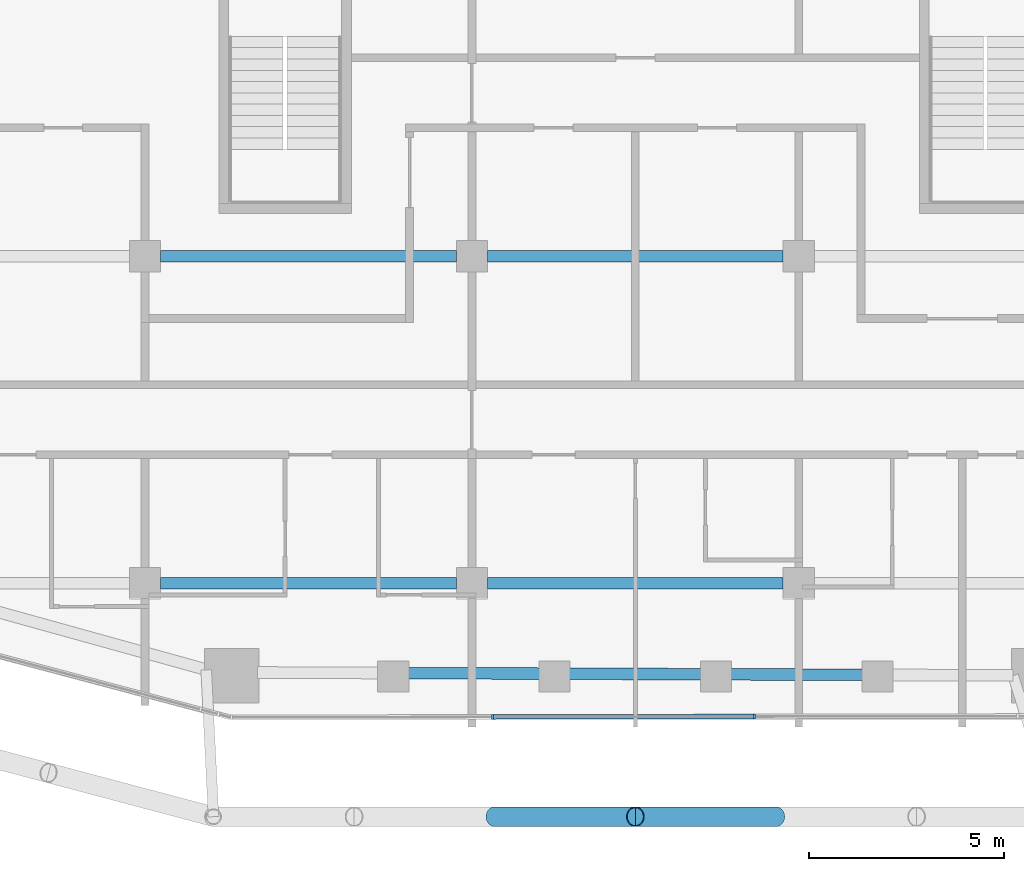
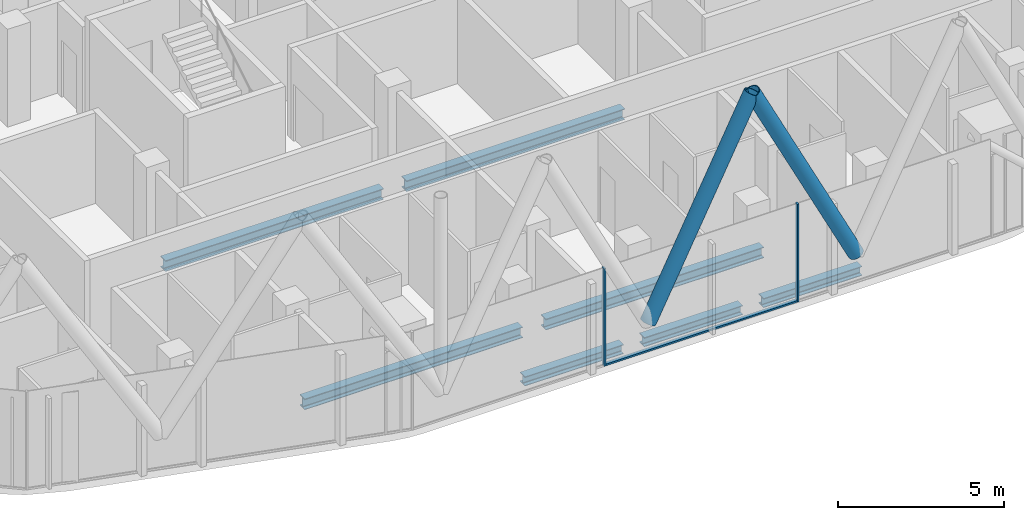
# One storey, part 3 of 28: 7 beams, 5 members, 1 element without a shape of its own.
"""IFC4 building model written with IfcOpenShell, lengths in metres."""

from ifc_helpers import new_model, si_unit, direction, frame, origin, origin_2d, place, context, subcontext, project, spatial, rectangle, hollow_circle, i_section, extrude, material, layer, layer_set, material_profile, profile_set, type_object, element, aggregate, save


model = new_model("IFC4")

# Units and contexts
model_context = context("Model", 3, precision=1e-05, world=origin(), true_north=direction((0.0, 1.0)))
body_context = subcontext(model_context, "Body", "Model", "MODEL_VIEW")
ifc_project = project(units=[si_unit("LENGTHUNIT", "METRE"), si_unit("AREAUNIT", "SQUARE_METRE"), si_unit("VOLUMEUNIT", "CUBIC_METRE"), si_unit("PLANEANGLEUNIT", "RADIAN"), si_unit("MASSUNIT", "GRAM", prefix="KILO")], contexts=[model_context])

# Site, building, storey
site_placement = place(None, origin())
site = spatial("IfcSite", under=ifc_project, at=site_placement, CompositionType="ELEMENT")
building_placement = place(site_placement, origin())
building = spatial("IfcBuilding", under=site, at=building_placement, Name="Marenta Gate Hotel Tower", CompositionType="ELEMENT")
storey_placement = place(building_placement, frame((0.0, 0.0, 227.300048828125)))
storey = spatial("IfcBuildingStorey", under=building, at=storey_placement, Name="L53", CompositionType="ELEMENT", Elevation=227.300048828125)

# Members
ifc_material_1 = material(Name="Steel S355J2W", Category="steel")
ifc_material_profile_1 = material_profile(ifc_material_1, hollow_circle(Radius=0.25390625, WallThickness=0.02490234375, at=origin_2d()), Name="CHS 508x25")
ifc_profile_set_1 = profile_set([ifc_material_profile_1], Name="Steel S355J2W")
member_type_1 = type_object("IfcMemberType", Name="Diagrid diagonal Z3 CHS 508x25", PredefinedType="BRACE", material=ifc_profile_set_1)
for number, where, z_axis, x_axis, name in (
    (1, (3.613037109375, -31.199951171875, 3.139892578125), (-0.44851025603, 0.0, 0.893777685018), (0.0, -1.0, 0.0), "L53-DG-17"),
    (2, (-3.613037109375, -31.199951171875, 3.139892578125), (0.44851025603, 0.0, 0.893777685018), (0.0, 1.0, 0.0), "L53-DG-18"),
):
    element("IfcMember", number, at=place(storey_placement, frame(where, z_axis=z_axis, x_axis=x_axis)), inside=storey, type_object=member_type_1, Name=name, PredefinedType="BRACE", context=body_context, shape_type="SweptSolid", body=[
        extrude(hollow_circle(Radius=0.25390625, WallThickness=0.02490234375, at=origin_2d()), origin(), (0.0, 0.0, 1.0), 8.0556640625),
    ])

# Beams
ifc_material_2 = material(Name="Steel S355", Category="steel")
ifc_material_profile_2 = material_profile(ifc_material_2, i_section(OverallWidth=0.300048828125, OverallDepth=0.340087890625, WebThickness=0.011962890625, FlangeThickness=0.021484375, FilletRadius=0.027099609375, at=origin_2d()), Name="HEB 340")
ifc_profile_set_2 = profile_set([ifc_material_profile_2], Name="Steel S355")
beam_type_1 = type_object("IfcBeamType", Name="Edge beam HEB 340", PredefinedType="SPANDREL", material=ifc_profile_set_2)
for number, where, z_axis, x_axis, name in (
    (3, (5.860107421875, -27.555419921875, -0.429931640625), (-0.999992599416, 0.003847221457, 0.0), (-0.003847221457, -0.999992599416, 0.0), "L53-EB-33"),
    (4, (1.71337890625, -27.539306640625, -0.429931640625), (-0.999992599416, 0.003847221457, 0.0), (-0.003847221457, -0.999992599416, 0.0), "L53-EB-34"),
    (5, (-2.433349609375, -27.5234375, -0.429931640625), (-0.999992599416, 0.003847221457, 0.0), (-0.003847221457, -0.999992599416, 0.0), "L53-EB-35"),
):
    element("IfcBeam", number, at=place(storey_placement, frame(where, z_axis=z_axis, x_axis=x_axis)), inside=storey, type_object=beam_type_1, Name=name, PredefinedType="SPANDREL", context=body_context, shape_type="SweptSolid", body=[
        extrude(i_section(OverallWidth=0.300048828125, OverallDepth=0.340087890625, WebThickness=0.011962890625, FlangeThickness=0.021484375, FilletRadius=0.027099609375, at=origin_2d()), origin(), (0.0, 0.0, 1.0), 3.4267578125),
    ])
ifc_material_3 = material(Name="Steel S355", Category="steel")
ifc_material_profile_3 = material_profile(ifc_material_3, i_section(OverallWidth=0.300048828125, OverallDepth=0.39990234375, WebThickness=0.013427734375, FlangeThickness=0.02392578125, FilletRadius=0.027099609375, at=origin_2d()), Name="HEB 400")
ifc_profile_set_3 = profile_set([ifc_material_profile_3], Name="Steel S355")
beam_type_2 = type_object("IfcBeamType", Name="Girder HEB 400", PredefinedType="BEAM", material=ifc_profile_set_3)
beam_1_placement = place(storey_placement, frame((-12.199951171875, -25.199951171875, -0.4599609375), z_axis=(1.0, 0.0, 0.0), x_axis=(0.0, 1.0, 0.0)))
element("IfcBeam", 6, at=beam_1_placement, inside=storey, type_object=beam_type_2, Name="L53-GD-2", PredefinedType="BEAM", context=body_context, shape_type="SweptSolid", body=[
    extrude(i_section(OverallWidth=0.300048828125, OverallDepth=0.39990234375, WebThickness=0.013427734375, FlangeThickness=0.02392578125, FilletRadius=0.027099609375, at=origin_2d()), origin(), (0.0, 0.0, 1.0), 7.599853515625),
])
beam_2_placement = place(storey_placement, frame((-3.800048828125, -25.199951171875, -0.4599609375), z_axis=(1.0, 0.0, 0.0), x_axis=(0.0, 1.0, 0.0)))
element("IfcBeam", 7, at=beam_2_placement, inside=storey, type_object=beam_type_2, Name="L53-GD-3", PredefinedType="BEAM", context=body_context, shape_type="SweptSolid", body=[
    extrude(i_section(OverallWidth=0.300048828125, OverallDepth=0.39990234375, WebThickness=0.013427734375, FlangeThickness=0.02392578125, FilletRadius=0.027099609375, at=origin_2d()), origin(), (0.0, 0.0, 1.0), 7.60009765625),
])
beam_3_placement = place(storey_placement, frame((-12.199951171875, -16.800048828125, -0.4599609375), z_axis=(1.0, 0.0, 0.0), x_axis=(0.0, 1.0, 0.0)))
element("IfcBeam", 8, at=beam_3_placement, inside=storey, type_object=beam_type_2, Name="L53-GD-8", PredefinedType="BEAM", context=body_context, shape_type="SweptSolid", body=[
    extrude(i_section(OverallWidth=0.300048828125, OverallDepth=0.39990234375, WebThickness=0.013427734375, FlangeThickness=0.02392578125, FilletRadius=0.027099609375, at=origin_2d()), origin(), (0.0, 0.0, 1.0), 7.599853515625),
])
beam_4_placement = place(storey_placement, frame((-3.800048828125, -16.800048828125, -0.4599609375), z_axis=(1.0, 0.0, 0.0), x_axis=(0.0, 1.0, 0.0)))
element("IfcBeam", 9, at=beam_4_placement, inside=storey, type_object=beam_type_2, Name="L53-GD-9", PredefinedType="BEAM", context=body_context, shape_type="SweptSolid", body=[
    extrude(i_section(OverallWidth=0.300048828125, OverallDepth=0.39990234375, WebThickness=0.013427734375, FlangeThickness=0.02392578125, FilletRadius=0.027099609375, at=origin_2d()), origin(), (0.0, 0.0, 1.0), 7.60009765625),
])

# Curtain wall, members
ifc_material_4 = material(Name="Tinted insulated glass in bronze anodised frame", Category="glass")
ifc_layer = layer(ifc_material_4, 0.1201171875)
ifc_layer_set = layer_set([ifc_layer], Name="Tinted insulated glass in bronze anodised frame")
curtain_wall_type = type_object("IfcCurtainWallType", Name="Tower unitised curtain wall CW1", PredefinedType="NOTDEFINED", material=ifc_layer_set)
curtain_wall_placement = place(storey_placement, origin())
curtain_wall = element("IfcCurtainWall", 10, at=curtain_wall_placement, inside=storey, type_object=curtain_wall_type, Name="CW1 run G12", PredefinedType="NOTDEFINED")
ifc_material_5 = material(Name="Bronze anodised aluminium", Category="aluminium")
ifc_material_profile_4 = material_profile(ifc_material_5, rectangle(XDim=0.1201171875, YDim=0.06005859375, at=origin_2d()), Name="Mullion CW1 60x120 bronze anodised aluminium")
ifc_profile_set_4 = profile_set([ifc_material_profile_4], Name="Bronze anodised aluminium")
member_type_2 = type_object("IfcMemberType", Name="Mullion CW1 60x120 bronze anodised aluminium", PredefinedType="MULLION", material=ifc_profile_set_4)
member_1_placement = place(storey_placement, frame((-3.67236328125, -28.636474609375, 0.0), z_axis=(0.0, 0.0, 1.0), x_axis=(-0.001643488917, 0.999998649471, 0.0)))
member_1 = element("IfcMember", 11, at=member_1_placement, type_object=member_type_2, Name="CW1 mullion 2", PredefinedType="MULLION", context=body_context, shape_type="SweptSolid", body=[
    extrude(rectangle(XDim=0.1201171875, YDim=0.06005859375, at=origin_2d()), origin(), (0.0, 0.0, 1.0), 3.599853515625),
])
member_2_placement = place(storey_placement, frame((3.061279296875, -28.62548828125, 0.0), z_axis=(0.0, 0.0, 1.0), x_axis=(-0.001643488917, 0.999998649471, 0.0)))
member_2 = element("IfcMember", 12, at=member_2_placement, type_object=member_type_2, Name="CW1 mullion 3", PredefinedType="MULLION", context=body_context, shape_type="SweptSolid", body=[
    extrude(rectangle(XDim=0.1201171875, YDim=0.06005859375, at=origin_2d()), origin(), (0.0, 0.0, 1.0), 3.599853515625),
])
ifc_material_6 = material(Name="Bronze anodised aluminium", Category="aluminium")
ifc_material_profile_5 = material_profile(ifc_material_6, rectangle(XDim=0.1201171875, YDim=0.06005859375, at=origin_2d()), Name="Transom CW1 60x120 bronze anodised aluminium")
ifc_profile_set_5 = profile_set([ifc_material_profile_5], Name="Bronze anodised aluminium")
member_type_3 = type_object("IfcMemberType", Name="Transom CW1 60x120 bronze anodised aluminium", PredefinedType="USERDEFINED", material=ifc_profile_set_5)
member_3_placement = place(storey_placement, frame((-3.642333984375, -28.636474609375, 0.030029296875), z_axis=(0.999998644948, 0.001646238852, 0.0), x_axis=(-0.001646238852, 0.999998644948, 0.0)))
member_3 = element("IfcMember", 13, at=member_3_placement, type_object=member_type_3, Name="CW1 transom 2.1", ObjectType="TRANSOM", PredefinedType="USERDEFINED", context=body_context, shape_type="SweptSolid", body=[
    extrude(rectangle(XDim=0.1201171875, YDim=0.06005859375, at=origin_2d()), origin(), (0.0, 0.0, 1.0), 6.673583984375),
])
aggregate(curtain_wall, [member_1, member_2, member_3])

save(model, "model.ifc")
